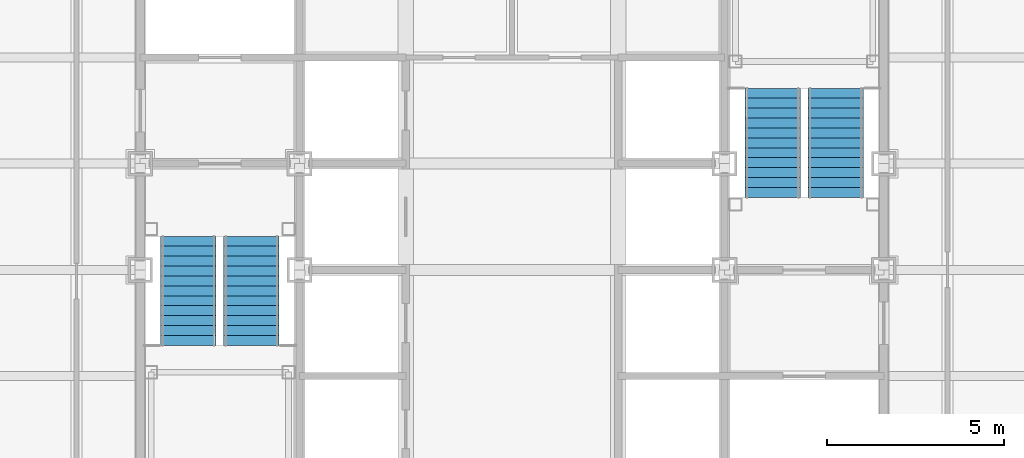
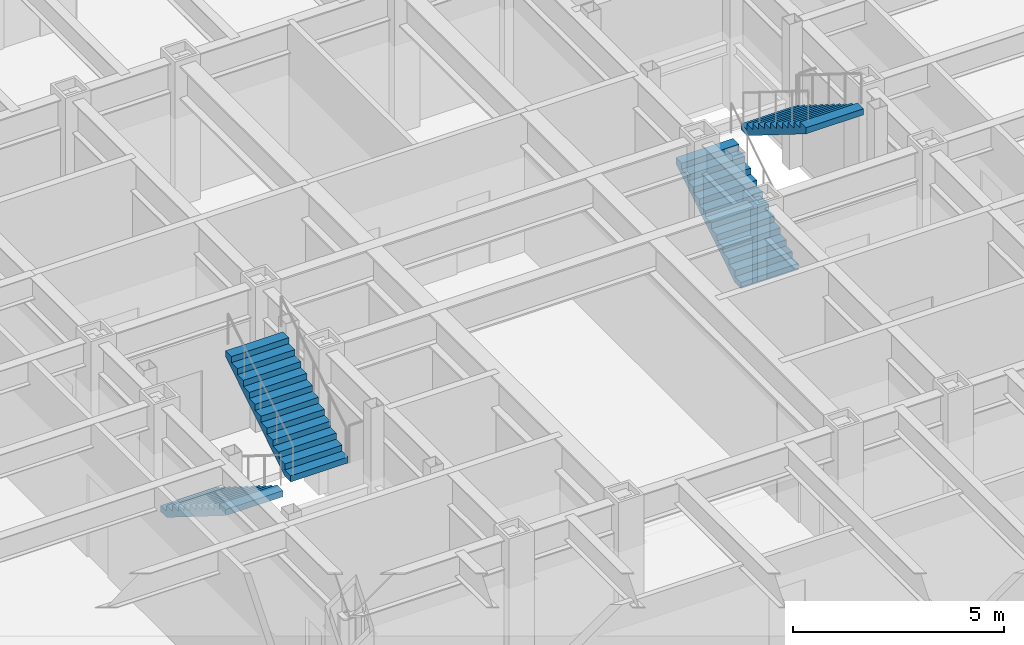
# One storey, part 14 of 17: 4 stair flights, 2 elements without a shape of their own.
"""IFC4 building model written with IfcOpenShell, lengths in metres."""

from ifc_helpers import new_model, si_unit, direction, frame, origin, place, context, subcontext, project, spatial, faceted_brep, material, type_object, element, aggregate, save


model = new_model("IFC4")

# Units and contexts
model_context = context("Model", 3, precision=1e-05, world=origin(), true_north=direction((0.0, 1.0)))
body_context = subcontext(model_context, "Body", "Model", "MODEL_VIEW")
ifc_project = project(units=[si_unit("LENGTHUNIT", "METRE"), si_unit("AREAUNIT", "SQUARE_METRE"), si_unit("VOLUMEUNIT", "CUBIC_METRE"), si_unit("PLANEANGLEUNIT", "RADIAN"), si_unit("MASSUNIT", "GRAM", prefix="KILO")], contexts=[model_context])

# Site, building, storey
site_placement = place(None, origin())
site = spatial("IfcSite", under=ifc_project, at=site_placement, CompositionType="ELEMENT")
building_placement = place(site_placement, origin())
building = spatial("IfcBuilding", under=site, at=building_placement, Name="Chuquiago Exchange Tower", CompositionType="ELEMENT")
storey_placement = place(building_placement, frame((0.0, 0.0, 132.0)))
storey = spatial("IfcBuildingStorey", under=building, at=storey_placement, Name="L28", CompositionType="ELEMENT", Elevation=132.0)

# Stair, stair flights
ifc_material_1 = material(Name="Concrete C30/37, precast", Category="concrete")
stair_type_1 = type_object("IfcStairType", Name="ST1 half-turn stair 4200", PredefinedType="HALF_TURN_STAIR", material=ifc_material_1)
stair_1_placement = place(storey_placement, origin())
stair_1 = element("IfcStair", 1, at=stair_1_placement, inside=storey, type_object=stair_type_1, Name="Stair ST1 L28", PredefinedType="HALF_TURN_STAIR")
ifc_material_2 = material(Name="Concrete C30/37, precast", Category="concrete")
stair_flight_type = type_object("IfcStairFlightType", Name="ST-F flight 1570 for 4200 storey", PredefinedType="STRAIGHT", material=ifc_material_2)
stair_flight_1_placement = place(storey_placement, frame((13.360107421875, 21.949951171875, 0.0), z_axis=(0.0, 0.0, 1.0), x_axis=(0.0, -1.0, 0.0)))
stair_flight_1 = element("IfcStairFlight", 2, at=stair_flight_1_placement, type_object=stair_flight_type, Name="ST1 flight 1", NumberOfRisers=12, NumberOfTreads=11, PredefinedType="STRAIGHT", RiserHeight=0.175, TreadLength=0.28, context=body_context, shape_type="Brep", body=[
    faceted_brep([(0.0, 0.78515625, 0.0), (0.0, 0.78515625, 0.175048828125), (0.280029296875, 0.78515625, 0.175048828125), (0.280029296875, 0.78515625, 0.35009765625), (0.56005859375, 0.78515625, 0.35009765625), (0.56005859375, 0.78515625, 0.52490234375), (0.840087890625, 0.78515625, 0.52490234375), (0.840087890625, 0.78515625, 0.699951171875), (1.1201171875, 0.78515625, 0.699951171875), (1.1201171875, 0.78515625, 0.875), (1.39990234375, 0.78515625, 0.875), (1.39990234375, 0.78515625, 1.050048828125), (1.679931640625, 0.78515625, 1.050048828125), (1.679931640625, 0.78515625, 1.22509765625), (1.9599609375, 0.78515625, 1.22509765625), (1.9599609375, 0.78515625, 1.39990234375), (2.239990234375, 0.78515625, 1.39990234375), (2.239990234375, 0.78515625, 1.574951171875), (2.52001953125, 0.78515625, 1.574951171875), (2.52001953125, 0.78515625, 1.75), (2.800048828125, 0.78515625, 1.75), (2.800048828125, 0.78515625, 1.925048828125), (3.080078125, 0.78515625, 1.925048828125), (3.080078125, 0.78515625, 1.748291015625), (0.28271484375, 0.78515625, 0.0), (0.28271484375, -0.78515625, 0.0), (3.080078125, -0.78515625, 1.748291015625), (3.080078125, -0.78515625, 1.925048828125), (2.800048828125, -0.78515625, 1.925048828125), (2.800048828125, -0.78515625, 1.75), (2.52001953125, -0.78515625, 1.75), (2.52001953125, -0.78515625, 1.574951171875), (2.239990234375, -0.78515625, 1.574951171875), (2.239990234375, -0.78515625, 1.39990234375), (1.9599609375, -0.78515625, 1.39990234375), (1.9599609375, -0.78515625, 1.22509765625), (1.679931640625, -0.78515625, 1.22509765625), (1.679931640625, -0.78515625, 1.050048828125), (1.39990234375, -0.78515625, 1.050048828125), (1.39990234375, -0.78515625, 0.875), (1.1201171875, -0.78515625, 0.875), (1.1201171875, -0.78515625, 0.699951171875), (0.840087890625, -0.78515625, 0.699951171875), (0.840087890625, -0.78515625, 0.52490234375), (0.56005859375, -0.78515625, 0.52490234375), (0.56005859375, -0.78515625, 0.35009765625), (0.280029296875, -0.78515625, 0.35009765625), (0.280029296875, -0.78515625, 0.175048828125), (0.0, -0.78515625, 0.175048828125), (0.0, -0.78515625, 0.0), (0.0, 0.392578125, 0.0), (0.0, 0.392578125, 0.175048828125), (0.0, 0.0, 0.0), (0.0, 0.0, 0.175048828125), (0.0, -0.392578125, 0.0), (0.0, -0.392578125, 0.175048828125), (0.280029296875, 0.392578125, 0.175048828125), (0.280029296875, 0.0, 0.175048828125), (0.280029296875, -0.392578125, 0.175048828125), (0.280029296875, 0.392578125, 0.35009765625), (0.280029296875, 0.0, 0.35009765625), (0.280029296875, -0.392578125, 0.35009765625), (0.56005859375, 0.392578125, 0.35009765625), (0.56005859375, 0.0, 0.35009765625), (0.56005859375, -0.392578125, 0.35009765625), (0.56005859375, 0.392578125, 0.52490234375), (0.56005859375, 0.0, 0.52490234375), (0.56005859375, -0.392578125, 0.52490234375), (0.840087890625, 0.392578125, 0.52490234375), (0.840087890625, 0.0, 0.52490234375), (0.840087890625, -0.392578125, 0.52490234375), (0.840087890625, 0.392578125, 0.699951171875), (0.840087890625, 0.0, 0.699951171875), (0.840087890625, -0.392578125, 0.699951171875), (1.1201171875, 0.392578125, 0.699951171875), (1.1201171875, 0.0, 0.699951171875), (1.1201171875, -0.392578125, 0.699951171875), (1.1201171875, 0.392578125, 0.875), (1.1201171875, 0.0, 0.875), (1.1201171875, -0.392578125, 0.875), (1.39990234375, 0.392578125, 0.875), (1.39990234375, 0.0, 0.875), (1.39990234375, -0.392578125, 0.875), (1.39990234375, 0.392578125, 1.050048828125), (1.39990234375, 0.0, 1.050048828125), (1.39990234375, -0.392578125, 1.050048828125), (1.679931640625, 0.392578125, 1.050048828125), (1.679931640625, 0.0, 1.050048828125), (1.679931640625, -0.392578125, 1.050048828125), (1.679931640625, 0.392578125, 1.22509765625), (1.679931640625, 0.0, 1.22509765625), (1.679931640625, -0.392578125, 1.22509765625), (1.9599609375, 0.392578125, 1.22509765625), (1.9599609375, 0.0, 1.22509765625), (1.9599609375, -0.392578125, 1.22509765625), (1.9599609375, 0.392578125, 1.39990234375), (1.9599609375, 0.0, 1.39990234375), (1.9599609375, -0.392578125, 1.39990234375), (2.239990234375, 0.392578125, 1.39990234375), (2.239990234375, 0.0, 1.39990234375), (2.239990234375, -0.392578125, 1.39990234375), (2.239990234375, 0.392578125, 1.574951171875), (2.239990234375, 0.0, 1.574951171875), (2.239990234375, -0.392578125, 1.574951171875), (2.52001953125, 0.392578125, 1.574951171875), (2.52001953125, 0.0, 1.574951171875), (2.52001953125, -0.392578125, 1.574951171875), (2.52001953125, 0.392578125, 1.75), (2.52001953125, 0.0, 1.75), (2.52001953125, -0.392578125, 1.75), (2.800048828125, 0.392578125, 1.75), (2.800048828125, 0.0, 1.75), (2.800048828125, -0.392578125, 1.75), (2.800048828125, 0.392578125, 1.925048828125), (2.800048828125, 0.0, 1.925048828125), (2.800048828125, -0.392578125, 1.925048828125), (3.080078125, 0.392578125, 1.925048828125), (3.080078125, 0.0, 1.925048828125), (3.080078125, -0.392578125, 1.925048828125), (3.080078125, 0.392578125, 1.748291015625), (3.080078125, 0.0, 1.748291015625), (3.080078125, -0.392578125, 1.748291015625), (0.28271484375, 0.392578125, 0.0), (0.28271484375, 0.0, 0.0), (0.28271484375, -0.392578125, 0.0)], [[[0, 1, 2, 3, 4, 5, 6, 7, 8, 9, 10, 11, 12, 13, 14, 15, 16, 17, 18, 19, 20, 21, 22, 23, 24]], [[25, 26, 27, 28, 29, 30, 31, 32, 33, 34, 35, 36, 37, 38, 39, 40, 41, 42, 43, 44, 45, 46, 47, 48, 49]], [[1, 0, 50, 51]], [[51, 50, 52, 53]], [[53, 52, 54, 55]], [[55, 54, 49, 48]], [[2, 1, 51, 56]], [[56, 51, 53, 57]], [[57, 53, 55, 58]], [[58, 55, 48, 47]], [[3, 2, 56, 59]], [[59, 56, 57, 60]], [[60, 57, 58, 61]], [[61, 58, 47, 46]], [[4, 3, 59, 62]], [[62, 59, 60, 63]], [[63, 60, 61, 64]], [[64, 61, 46, 45]], [[5, 4, 62, 65]], [[65, 62, 63, 66]], [[66, 63, 64, 67]], [[67, 64, 45, 44]], [[6, 5, 65, 68]], [[68, 65, 66, 69]], [[69, 66, 67, 70]], [[70, 67, 44, 43]], [[7, 6, 68, 71]], [[71, 68, 69, 72]], [[72, 69, 70, 73]], [[73, 70, 43, 42]], [[8, 7, 71, 74]], [[74, 71, 72, 75]], [[75, 72, 73, 76]], [[76, 73, 42, 41]], [[9, 8, 74, 77]], [[77, 74, 75, 78]], [[78, 75, 76, 79]], [[79, 76, 41, 40]], [[10, 9, 77, 80]], [[80, 77, 78, 81]], [[81, 78, 79, 82]], [[82, 79, 40, 39]], [[11, 10, 80, 83]], [[83, 80, 81, 84]], [[84, 81, 82, 85]], [[85, 82, 39, 38]], [[12, 11, 83, 86]], [[86, 83, 84, 87]], [[87, 84, 85, 88]], [[88, 85, 38, 37]], [[13, 12, 86, 89]], [[89, 86, 87, 90]], [[90, 87, 88, 91]], [[91, 88, 37, 36]], [[14, 13, 89, 92]], [[92, 89, 90, 93]], [[93, 90, 91, 94]], [[94, 91, 36, 35]], [[15, 14, 92, 95]], [[95, 92, 93, 96]], [[96, 93, 94, 97]], [[97, 94, 35, 34]], [[16, 15, 95, 98]], [[98, 95, 96, 99]], [[99, 96, 97, 100]], [[100, 97, 34, 33]], [[17, 16, 98, 101]], [[101, 98, 99, 102]], [[102, 99, 100, 103]], [[103, 100, 33, 32]], [[18, 17, 101, 104]], [[104, 101, 102, 105]], [[105, 102, 103, 106]], [[106, 103, 32, 31]], [[19, 18, 104, 107]], [[107, 104, 105, 108]], [[108, 105, 106, 109]], [[109, 106, 31, 30]], [[20, 19, 107, 110]], [[110, 107, 108, 111]], [[111, 108, 109, 112]], [[112, 109, 30, 29]], [[21, 20, 110, 113]], [[113, 110, 111, 114]], [[114, 111, 112, 115]], [[115, 112, 29, 28]], [[22, 21, 113, 116]], [[116, 113, 114, 117]], [[117, 114, 115, 118]], [[118, 115, 28, 27]], [[23, 22, 116, 119]], [[119, 116, 117, 120]], [[120, 117, 118, 121]], [[121, 118, 27, 26]], [[24, 23, 119, 122]], [[122, 119, 120, 123]], [[123, 120, 121, 124]], [[124, 121, 26, 25]], [[0, 24, 122, 50]], [[50, 122, 123, 52]], [[52, 123, 124, 54]], [[54, 124, 25, 49]]]),
])
stair_flight_2_placement = place(storey_placement, frame((15.139892578125, 18.8701171875, 2.10009765625), z_axis=(0.0, 0.0, 1.0), x_axis=(0.0, 1.0, 0.0)))
stair_flight_2 = element("IfcStairFlight", 3, at=stair_flight_2_placement, type_object=stair_flight_type, Name="ST1 flight 2", NumberOfRisers=12, NumberOfTreads=11, PredefinedType="STRAIGHT", RiserHeight=0.175, TreadLength=0.28, context=body_context, shape_type="Brep", body=[
    faceted_brep([(0.0, 0.78515625, 0.0), (0.0, 0.78515625, 0.175048828125), (0.280029296875, 0.78515625, 0.175048828125), (0.280029296875, 0.78515625, 0.35009765625), (0.56005859375, 0.78515625, 0.35009765625), (0.56005859375, 0.78515625, 0.52490234375), (0.840087890625, 0.78515625, 0.52490234375), (0.840087890625, 0.78515625, 0.699951171875), (1.1201171875, 0.78515625, 0.699951171875), (1.1201171875, 0.78515625, 0.875), (1.39990234375, 0.78515625, 0.875), (1.39990234375, 0.78515625, 1.050048828125), (1.679931640625, 0.78515625, 1.050048828125), (1.679931640625, 0.78515625, 1.22509765625), (1.9599609375, 0.78515625, 1.22509765625), (1.9599609375, 0.78515625, 1.39990234375), (2.239990234375, 0.78515625, 1.39990234375), (2.239990234375, 0.78515625, 1.574951171875), (2.52001953125, 0.78515625, 1.574951171875), (2.52001953125, 0.78515625, 1.75), (2.800048828125, 0.78515625, 1.75), (2.800048828125, 0.78515625, 1.925048828125), (3.080078125, 0.78515625, 1.925048828125), (3.080078125, 0.78515625, 1.748291015625), (0.28271484375, 0.78515625, 0.0), (0.28271484375, -0.78515625, 0.0), (3.080078125, -0.78515625, 1.748291015625), (3.080078125, -0.78515625, 1.925048828125), (2.800048828125, -0.78515625, 1.925048828125), (2.800048828125, -0.78515625, 1.75), (2.52001953125, -0.78515625, 1.75), (2.52001953125, -0.78515625, 1.574951171875), (2.239990234375, -0.78515625, 1.574951171875), (2.239990234375, -0.78515625, 1.39990234375), (1.9599609375, -0.78515625, 1.39990234375), (1.9599609375, -0.78515625, 1.22509765625), (1.679931640625, -0.78515625, 1.22509765625), (1.679931640625, -0.78515625, 1.050048828125), (1.39990234375, -0.78515625, 1.050048828125), (1.39990234375, -0.78515625, 0.875), (1.1201171875, -0.78515625, 0.875), (1.1201171875, -0.78515625, 0.699951171875), (0.840087890625, -0.78515625, 0.699951171875), (0.840087890625, -0.78515625, 0.52490234375), (0.56005859375, -0.78515625, 0.52490234375), (0.56005859375, -0.78515625, 0.35009765625), (0.280029296875, -0.78515625, 0.35009765625), (0.280029296875, -0.78515625, 0.175048828125), (0.0, -0.78515625, 0.175048828125), (0.0, -0.78515625, 0.0), (0.0, 0.392578125, 0.0), (0.0, 0.392578125, 0.175048828125), (0.0, 0.0, 0.0), (0.0, 0.0, 0.175048828125), (0.0, -0.392578125, 0.0), (0.0, -0.392578125, 0.175048828125), (0.280029296875, 0.392578125, 0.175048828125), (0.280029296875, 0.0, 0.175048828125), (0.280029296875, -0.392578125, 0.175048828125), (0.280029296875, 0.392578125, 0.35009765625), (0.280029296875, 0.0, 0.35009765625), (0.280029296875, -0.392578125, 0.35009765625), (0.56005859375, 0.392578125, 0.35009765625), (0.56005859375, 0.0, 0.35009765625), (0.56005859375, -0.392578125, 0.35009765625), (0.56005859375, 0.392578125, 0.52490234375), (0.56005859375, 0.0, 0.52490234375), (0.56005859375, -0.392578125, 0.52490234375), (0.840087890625, 0.392578125, 0.52490234375), (0.840087890625, 0.0, 0.52490234375), (0.840087890625, -0.392578125, 0.52490234375), (0.840087890625, 0.392578125, 0.699951171875), (0.840087890625, 0.0, 0.699951171875), (0.840087890625, -0.392578125, 0.699951171875), (1.1201171875, 0.392578125, 0.699951171875), (1.1201171875, 0.0, 0.699951171875), (1.1201171875, -0.392578125, 0.699951171875), (1.1201171875, 0.392578125, 0.875), (1.1201171875, 0.0, 0.875), (1.1201171875, -0.392578125, 0.875), (1.39990234375, 0.392578125, 0.875), (1.39990234375, 0.0, 0.875), (1.39990234375, -0.392578125, 0.875), (1.39990234375, 0.392578125, 1.050048828125), (1.39990234375, 0.0, 1.050048828125), (1.39990234375, -0.392578125, 1.050048828125), (1.679931640625, 0.392578125, 1.050048828125), (1.679931640625, 0.0, 1.050048828125), (1.679931640625, -0.392578125, 1.050048828125), (1.679931640625, 0.392578125, 1.22509765625), (1.679931640625, 0.0, 1.22509765625), (1.679931640625, -0.392578125, 1.22509765625), (1.9599609375, 0.392578125, 1.22509765625), (1.9599609375, 0.0, 1.22509765625), (1.9599609375, -0.392578125, 1.22509765625), (1.9599609375, 0.392578125, 1.39990234375), (1.9599609375, 0.0, 1.39990234375), (1.9599609375, -0.392578125, 1.39990234375), (2.239990234375, 0.392578125, 1.39990234375), (2.239990234375, 0.0, 1.39990234375), (2.239990234375, -0.392578125, 1.39990234375), (2.239990234375, 0.392578125, 1.574951171875), (2.239990234375, 0.0, 1.574951171875), (2.239990234375, -0.392578125, 1.574951171875), (2.52001953125, 0.392578125, 1.574951171875), (2.52001953125, 0.0, 1.574951171875), (2.52001953125, -0.392578125, 1.574951171875), (2.52001953125, 0.392578125, 1.75), (2.52001953125, 0.0, 1.75), (2.52001953125, -0.392578125, 1.75), (2.800048828125, 0.392578125, 1.75), (2.800048828125, 0.0, 1.75), (2.800048828125, -0.392578125, 1.75), (2.800048828125, 0.392578125, 1.925048828125), (2.800048828125, 0.0, 1.925048828125), (2.800048828125, -0.392578125, 1.925048828125), (3.080078125, 0.392578125, 1.925048828125), (3.080078125, 0.0, 1.925048828125), (3.080078125, -0.392578125, 1.925048828125), (3.080078125, 0.392578125, 1.748291015625), (3.080078125, 0.0, 1.748291015625), (3.080078125, -0.392578125, 1.748291015625), (0.28271484375, 0.392578125, 0.0), (0.28271484375, 0.0, 0.0), (0.28271484375, -0.392578125, 0.0)], [[[0, 1, 2, 3, 4, 5, 6, 7, 8, 9, 10, 11, 12, 13, 14, 15, 16, 17, 18, 19, 20, 21, 22, 23, 24]], [[25, 26, 27, 28, 29, 30, 31, 32, 33, 34, 35, 36, 37, 38, 39, 40, 41, 42, 43, 44, 45, 46, 47, 48, 49]], [[1, 0, 50, 51]], [[51, 50, 52, 53]], [[53, 52, 54, 55]], [[55, 54, 49, 48]], [[2, 1, 51, 56]], [[56, 51, 53, 57]], [[57, 53, 55, 58]], [[58, 55, 48, 47]], [[3, 2, 56, 59]], [[59, 56, 57, 60]], [[60, 57, 58, 61]], [[61, 58, 47, 46]], [[4, 3, 59, 62]], [[62, 59, 60, 63]], [[63, 60, 61, 64]], [[64, 61, 46, 45]], [[5, 4, 62, 65]], [[65, 62, 63, 66]], [[66, 63, 64, 67]], [[67, 64, 45, 44]], [[6, 5, 65, 68]], [[68, 65, 66, 69]], [[69, 66, 67, 70]], [[70, 67, 44, 43]], [[7, 6, 68, 71]], [[71, 68, 69, 72]], [[72, 69, 70, 73]], [[73, 70, 43, 42]], [[8, 7, 71, 74]], [[74, 71, 72, 75]], [[75, 72, 73, 76]], [[76, 73, 42, 41]], [[9, 8, 74, 77]], [[77, 74, 75, 78]], [[78, 75, 76, 79]], [[79, 76, 41, 40]], [[10, 9, 77, 80]], [[80, 77, 78, 81]], [[81, 78, 79, 82]], [[82, 79, 40, 39]], [[11, 10, 80, 83]], [[83, 80, 81, 84]], [[84, 81, 82, 85]], [[85, 82, 39, 38]], [[12, 11, 83, 86]], [[86, 83, 84, 87]], [[87, 84, 85, 88]], [[88, 85, 38, 37]], [[13, 12, 86, 89]], [[89, 86, 87, 90]], [[90, 87, 88, 91]], [[91, 88, 37, 36]], [[14, 13, 89, 92]], [[92, 89, 90, 93]], [[93, 90, 91, 94]], [[94, 91, 36, 35]], [[15, 14, 92, 95]], [[95, 92, 93, 96]], [[96, 93, 94, 97]], [[97, 94, 35, 34]], [[16, 15, 95, 98]], [[98, 95, 96, 99]], [[99, 96, 97, 100]], [[100, 97, 34, 33]], [[17, 16, 98, 101]], [[101, 98, 99, 102]], [[102, 99, 100, 103]], [[103, 100, 33, 32]], [[18, 17, 101, 104]], [[104, 101, 102, 105]], [[105, 102, 103, 106]], [[106, 103, 32, 31]], [[19, 18, 104, 107]], [[107, 104, 105, 108]], [[108, 105, 106, 109]], [[109, 106, 31, 30]], [[20, 19, 107, 110]], [[110, 107, 108, 111]], [[111, 108, 109, 112]], [[112, 109, 30, 29]], [[21, 20, 110, 113]], [[113, 110, 111, 114]], [[114, 111, 112, 115]], [[115, 112, 29, 28]], [[22, 21, 113, 116]], [[116, 113, 114, 117]], [[117, 114, 115, 118]], [[118, 115, 28, 27]], [[23, 22, 116, 119]], [[119, 116, 117, 120]], [[120, 117, 118, 121]], [[121, 118, 27, 26]], [[24, 23, 119, 122]], [[122, 119, 120, 123]], [[123, 120, 121, 124]], [[124, 121, 26, 25]], [[0, 24, 122, 50]], [[50, 122, 123, 52]], [[52, 123, 124, 54]], [[54, 124, 25, 49]]]),
])
aggregate(stair_1, [stair_flight_1, stair_flight_2])

ifc_material_3 = material(Name="Concrete C30/37, precast", Category="concrete")
stair_type_2 = type_object("IfcStairType", Name="ST2 half-turn stair 4200", PredefinedType="HALF_TURN_STAIR", material=ifc_material_3)
stair_2_placement = place(storey_placement, origin())
stair_2 = element("IfcStair", 4, at=stair_2_placement, inside=storey, type_object=stair_type_2, Name="Stair ST2 L28", PredefinedType="HALF_TURN_STAIR")
stair_flight_3_placement = place(storey_placement, frame((29.860107421875, 23.050048828125, 0.0), z_axis=(0.0, 0.0, 1.0), x_axis=(0.0, 1.0, 0.0)))
stair_flight_3 = element("IfcStairFlight", 5, at=stair_flight_3_placement, type_object=stair_flight_type, Name="ST2 flight 1", NumberOfRisers=12, NumberOfTreads=11, PredefinedType="STRAIGHT", RiserHeight=0.175, TreadLength=0.28, context=body_context, shape_type="Brep", body=[
    faceted_brep([(0.0, 0.78515625, 0.0), (0.0, 0.78515625, 0.175048828125), (0.280029296875, 0.78515625, 0.175048828125), (0.280029296875, 0.78515625, 0.35009765625), (0.56005859375, 0.78515625, 0.35009765625), (0.56005859375, 0.78515625, 0.52490234375), (0.840087890625, 0.78515625, 0.52490234375), (0.840087890625, 0.78515625, 0.699951171875), (1.1201171875, 0.78515625, 0.699951171875), (1.1201171875, 0.78515625, 0.875), (1.39990234375, 0.78515625, 0.875), (1.39990234375, 0.78515625, 1.050048828125), (1.679931640625, 0.78515625, 1.050048828125), (1.679931640625, 0.78515625, 1.22509765625), (1.9599609375, 0.78515625, 1.22509765625), (1.9599609375, 0.78515625, 1.39990234375), (2.239990234375, 0.78515625, 1.39990234375), (2.239990234375, 0.78515625, 1.574951171875), (2.52001953125, 0.78515625, 1.574951171875), (2.52001953125, 0.78515625, 1.75), (2.800048828125, 0.78515625, 1.75), (2.800048828125, 0.78515625, 1.925048828125), (3.080078125, 0.78515625, 1.925048828125), (3.080078125, 0.78515625, 1.748291015625), (0.28271484375, 0.78515625, 0.0), (0.28271484375, -0.78515625, 0.0), (3.080078125, -0.78515625, 1.748291015625), (3.080078125, -0.78515625, 1.925048828125), (2.800048828125, -0.78515625, 1.925048828125), (2.800048828125, -0.78515625, 1.75), (2.52001953125, -0.78515625, 1.75), (2.52001953125, -0.78515625, 1.574951171875), (2.239990234375, -0.78515625, 1.574951171875), (2.239990234375, -0.78515625, 1.39990234375), (1.9599609375, -0.78515625, 1.39990234375), (1.9599609375, -0.78515625, 1.22509765625), (1.679931640625, -0.78515625, 1.22509765625), (1.679931640625, -0.78515625, 1.050048828125), (1.39990234375, -0.78515625, 1.050048828125), (1.39990234375, -0.78515625, 0.875), (1.1201171875, -0.78515625, 0.875), (1.1201171875, -0.78515625, 0.699951171875), (0.840087890625, -0.78515625, 0.699951171875), (0.840087890625, -0.78515625, 0.52490234375), (0.56005859375, -0.78515625, 0.52490234375), (0.56005859375, -0.78515625, 0.35009765625), (0.280029296875, -0.78515625, 0.35009765625), (0.280029296875, -0.78515625, 0.175048828125), (0.0, -0.78515625, 0.175048828125), (0.0, -0.78515625, 0.0), (0.0, 0.392578125, 0.0), (0.0, 0.392578125, 0.175048828125), (0.0, 0.0, 0.0), (0.0, 0.0, 0.175048828125), (0.0, -0.392578125, 0.0), (0.0, -0.392578125, 0.175048828125), (0.280029296875, 0.392578125, 0.175048828125), (0.280029296875, 0.0, 0.175048828125), (0.280029296875, -0.392578125, 0.175048828125), (0.280029296875, 0.392578125, 0.35009765625), (0.280029296875, 0.0, 0.35009765625), (0.280029296875, -0.392578125, 0.35009765625), (0.56005859375, 0.392578125, 0.35009765625), (0.56005859375, 0.0, 0.35009765625), (0.56005859375, -0.392578125, 0.35009765625), (0.56005859375, 0.392578125, 0.52490234375), (0.56005859375, 0.0, 0.52490234375), (0.56005859375, -0.392578125, 0.52490234375), (0.840087890625, 0.392578125, 0.52490234375), (0.840087890625, 0.0, 0.52490234375), (0.840087890625, -0.392578125, 0.52490234375), (0.840087890625, 0.392578125, 0.699951171875), (0.840087890625, 0.0, 0.699951171875), (0.840087890625, -0.392578125, 0.699951171875), (1.1201171875, 0.392578125, 0.699951171875), (1.1201171875, 0.0, 0.699951171875), (1.1201171875, -0.392578125, 0.699951171875), (1.1201171875, 0.392578125, 0.875), (1.1201171875, 0.0, 0.875), (1.1201171875, -0.392578125, 0.875), (1.39990234375, 0.392578125, 0.875), (1.39990234375, 0.0, 0.875), (1.39990234375, -0.392578125, 0.875), (1.39990234375, 0.392578125, 1.050048828125), (1.39990234375, 0.0, 1.050048828125), (1.39990234375, -0.392578125, 1.050048828125), (1.679931640625, 0.392578125, 1.050048828125), (1.679931640625, 0.0, 1.050048828125), (1.679931640625, -0.392578125, 1.050048828125), (1.679931640625, 0.392578125, 1.22509765625), (1.679931640625, 0.0, 1.22509765625), (1.679931640625, -0.392578125, 1.22509765625), (1.9599609375, 0.392578125, 1.22509765625), (1.9599609375, 0.0, 1.22509765625), (1.9599609375, -0.392578125, 1.22509765625), (1.9599609375, 0.392578125, 1.39990234375), (1.9599609375, 0.0, 1.39990234375), (1.9599609375, -0.392578125, 1.39990234375), (2.239990234375, 0.392578125, 1.39990234375), (2.239990234375, 0.0, 1.39990234375), (2.239990234375, -0.392578125, 1.39990234375), (2.239990234375, 0.392578125, 1.574951171875), (2.239990234375, 0.0, 1.574951171875), (2.239990234375, -0.392578125, 1.574951171875), (2.52001953125, 0.392578125, 1.574951171875), (2.52001953125, 0.0, 1.574951171875), (2.52001953125, -0.392578125, 1.574951171875), (2.52001953125, 0.392578125, 1.75), (2.52001953125, 0.0, 1.75), (2.52001953125, -0.392578125, 1.75), (2.800048828125, 0.392578125, 1.75), (2.800048828125, 0.0, 1.75), (2.800048828125, -0.392578125, 1.75), (2.800048828125, 0.392578125, 1.925048828125), (2.800048828125, 0.0, 1.925048828125), (2.800048828125, -0.392578125, 1.925048828125), (3.080078125, 0.392578125, 1.925048828125), (3.080078125, 0.0, 1.925048828125), (3.080078125, -0.392578125, 1.925048828125), (3.080078125, 0.392578125, 1.748291015625), (3.080078125, 0.0, 1.748291015625), (3.080078125, -0.392578125, 1.748291015625), (0.28271484375, 0.392578125, 0.0), (0.28271484375, 0.0, 0.0), (0.28271484375, -0.392578125, 0.0)], [[[0, 1, 2, 3, 4, 5, 6, 7, 8, 9, 10, 11, 12, 13, 14, 15, 16, 17, 18, 19, 20, 21, 22, 23, 24]], [[25, 26, 27, 28, 29, 30, 31, 32, 33, 34, 35, 36, 37, 38, 39, 40, 41, 42, 43, 44, 45, 46, 47, 48, 49]], [[1, 0, 50, 51]], [[51, 50, 52, 53]], [[53, 52, 54, 55]], [[55, 54, 49, 48]], [[2, 1, 51, 56]], [[56, 51, 53, 57]], [[57, 53, 55, 58]], [[58, 55, 48, 47]], [[3, 2, 56, 59]], [[59, 56, 57, 60]], [[60, 57, 58, 61]], [[61, 58, 47, 46]], [[4, 3, 59, 62]], [[62, 59, 60, 63]], [[63, 60, 61, 64]], [[64, 61, 46, 45]], [[5, 4, 62, 65]], [[65, 62, 63, 66]], [[66, 63, 64, 67]], [[67, 64, 45, 44]], [[6, 5, 65, 68]], [[68, 65, 66, 69]], [[69, 66, 67, 70]], [[70, 67, 44, 43]], [[7, 6, 68, 71]], [[71, 68, 69, 72]], [[72, 69, 70, 73]], [[73, 70, 43, 42]], [[8, 7, 71, 74]], [[74, 71, 72, 75]], [[75, 72, 73, 76]], [[76, 73, 42, 41]], [[9, 8, 74, 77]], [[77, 74, 75, 78]], [[78, 75, 76, 79]], [[79, 76, 41, 40]], [[10, 9, 77, 80]], [[80, 77, 78, 81]], [[81, 78, 79, 82]], [[82, 79, 40, 39]], [[11, 10, 80, 83]], [[83, 80, 81, 84]], [[84, 81, 82, 85]], [[85, 82, 39, 38]], [[12, 11, 83, 86]], [[86, 83, 84, 87]], [[87, 84, 85, 88]], [[88, 85, 38, 37]], [[13, 12, 86, 89]], [[89, 86, 87, 90]], [[90, 87, 88, 91]], [[91, 88, 37, 36]], [[14, 13, 89, 92]], [[92, 89, 90, 93]], [[93, 90, 91, 94]], [[94, 91, 36, 35]], [[15, 14, 92, 95]], [[95, 92, 93, 96]], [[96, 93, 94, 97]], [[97, 94, 35, 34]], [[16, 15, 95, 98]], [[98, 95, 96, 99]], [[99, 96, 97, 100]], [[100, 97, 34, 33]], [[17, 16, 98, 101]], [[101, 98, 99, 102]], [[102, 99, 100, 103]], [[103, 100, 33, 32]], [[18, 17, 101, 104]], [[104, 101, 102, 105]], [[105, 102, 103, 106]], [[106, 103, 32, 31]], [[19, 18, 104, 107]], [[107, 104, 105, 108]], [[108, 105, 106, 109]], [[109, 106, 31, 30]], [[20, 19, 107, 110]], [[110, 107, 108, 111]], [[111, 108, 109, 112]], [[112, 109, 30, 29]], [[21, 20, 110, 113]], [[113, 110, 111, 114]], [[114, 111, 112, 115]], [[115, 112, 29, 28]], [[22, 21, 113, 116]], [[116, 113, 114, 117]], [[117, 114, 115, 118]], [[118, 115, 28, 27]], [[23, 22, 116, 119]], [[119, 116, 117, 120]], [[120, 117, 118, 121]], [[121, 118, 27, 26]], [[24, 23, 119, 122]], [[122, 119, 120, 123]], [[123, 120, 121, 124]], [[124, 121, 26, 25]], [[0, 24, 122, 50]], [[50, 122, 123, 52]], [[52, 123, 124, 54]], [[54, 124, 25, 49]]]),
])
stair_flight_4_placement = place(storey_placement, frame((31.639892578125, 26.1298828125, 2.10009765625), z_axis=(0.0, 0.0, 1.0), x_axis=(0.0, -1.0, 0.0)))
stair_flight_4 = element("IfcStairFlight", 6, at=stair_flight_4_placement, type_object=stair_flight_type, Name="ST2 flight 2", NumberOfRisers=12, NumberOfTreads=11, PredefinedType="STRAIGHT", RiserHeight=0.175, TreadLength=0.28, context=body_context, shape_type="Brep", body=[
    faceted_brep([(0.0, 0.78515625, 0.0), (0.0, 0.78515625, 0.175048828125), (0.280029296875, 0.78515625, 0.175048828125), (0.280029296875, 0.78515625, 0.35009765625), (0.56005859375, 0.78515625, 0.35009765625), (0.56005859375, 0.78515625, 0.52490234375), (0.840087890625, 0.78515625, 0.52490234375), (0.840087890625, 0.78515625, 0.699951171875), (1.1201171875, 0.78515625, 0.699951171875), (1.1201171875, 0.78515625, 0.875), (1.39990234375, 0.78515625, 0.875), (1.39990234375, 0.78515625, 1.050048828125), (1.679931640625, 0.78515625, 1.050048828125), (1.679931640625, 0.78515625, 1.22509765625), (1.9599609375, 0.78515625, 1.22509765625), (1.9599609375, 0.78515625, 1.39990234375), (2.239990234375, 0.78515625, 1.39990234375), (2.239990234375, 0.78515625, 1.574951171875), (2.52001953125, 0.78515625, 1.574951171875), (2.52001953125, 0.78515625, 1.75), (2.800048828125, 0.78515625, 1.75), (2.800048828125, 0.78515625, 1.925048828125), (3.080078125, 0.78515625, 1.925048828125), (3.080078125, 0.78515625, 1.748291015625), (0.28271484375, 0.78515625, 0.0), (0.28271484375, -0.78515625, 0.0), (3.080078125, -0.78515625, 1.748291015625), (3.080078125, -0.78515625, 1.925048828125), (2.800048828125, -0.78515625, 1.925048828125), (2.800048828125, -0.78515625, 1.75), (2.52001953125, -0.78515625, 1.75), (2.52001953125, -0.78515625, 1.574951171875), (2.239990234375, -0.78515625, 1.574951171875), (2.239990234375, -0.78515625, 1.39990234375), (1.9599609375, -0.78515625, 1.39990234375), (1.9599609375, -0.78515625, 1.22509765625), (1.679931640625, -0.78515625, 1.22509765625), (1.679931640625, -0.78515625, 1.050048828125), (1.39990234375, -0.78515625, 1.050048828125), (1.39990234375, -0.78515625, 0.875), (1.1201171875, -0.78515625, 0.875), (1.1201171875, -0.78515625, 0.699951171875), (0.840087890625, -0.78515625, 0.699951171875), (0.840087890625, -0.78515625, 0.52490234375), (0.56005859375, -0.78515625, 0.52490234375), (0.56005859375, -0.78515625, 0.35009765625), (0.280029296875, -0.78515625, 0.35009765625), (0.280029296875, -0.78515625, 0.175048828125), (0.0, -0.78515625, 0.175048828125), (0.0, -0.78515625, 0.0), (0.0, 0.392578125, 0.0), (0.0, 0.392578125, 0.175048828125), (0.0, 0.0, 0.0), (0.0, 0.0, 0.175048828125), (0.0, -0.392578125, 0.0), (0.0, -0.392578125, 0.175048828125), (0.280029296875, 0.392578125, 0.175048828125), (0.280029296875, 0.0, 0.175048828125), (0.280029296875, -0.392578125, 0.175048828125), (0.280029296875, 0.392578125, 0.35009765625), (0.280029296875, 0.0, 0.35009765625), (0.280029296875, -0.392578125, 0.35009765625), (0.56005859375, 0.392578125, 0.35009765625), (0.56005859375, 0.0, 0.35009765625), (0.56005859375, -0.392578125, 0.35009765625), (0.56005859375, 0.392578125, 0.52490234375), (0.56005859375, 0.0, 0.52490234375), (0.56005859375, -0.392578125, 0.52490234375), (0.840087890625, 0.392578125, 0.52490234375), (0.840087890625, 0.0, 0.52490234375), (0.840087890625, -0.392578125, 0.52490234375), (0.840087890625, 0.392578125, 0.699951171875), (0.840087890625, 0.0, 0.699951171875), (0.840087890625, -0.392578125, 0.699951171875), (1.1201171875, 0.392578125, 0.699951171875), (1.1201171875, 0.0, 0.699951171875), (1.1201171875, -0.392578125, 0.699951171875), (1.1201171875, 0.392578125, 0.875), (1.1201171875, 0.0, 0.875), (1.1201171875, -0.392578125, 0.875), (1.39990234375, 0.392578125, 0.875), (1.39990234375, 0.0, 0.875), (1.39990234375, -0.392578125, 0.875), (1.39990234375, 0.392578125, 1.050048828125), (1.39990234375, 0.0, 1.050048828125), (1.39990234375, -0.392578125, 1.050048828125), (1.679931640625, 0.392578125, 1.050048828125), (1.679931640625, 0.0, 1.050048828125), (1.679931640625, -0.392578125, 1.050048828125), (1.679931640625, 0.392578125, 1.22509765625), (1.679931640625, 0.0, 1.22509765625), (1.679931640625, -0.392578125, 1.22509765625), (1.9599609375, 0.392578125, 1.22509765625), (1.9599609375, 0.0, 1.22509765625), (1.9599609375, -0.392578125, 1.22509765625), (1.9599609375, 0.392578125, 1.39990234375), (1.9599609375, 0.0, 1.39990234375), (1.9599609375, -0.392578125, 1.39990234375), (2.239990234375, 0.392578125, 1.39990234375), (2.239990234375, 0.0, 1.39990234375), (2.239990234375, -0.392578125, 1.39990234375), (2.239990234375, 0.392578125, 1.574951171875), (2.239990234375, 0.0, 1.574951171875), (2.239990234375, -0.392578125, 1.574951171875), (2.52001953125, 0.392578125, 1.574951171875), (2.52001953125, 0.0, 1.574951171875), (2.52001953125, -0.392578125, 1.574951171875), (2.52001953125, 0.392578125, 1.75), (2.52001953125, 0.0, 1.75), (2.52001953125, -0.392578125, 1.75), (2.800048828125, 0.392578125, 1.75), (2.800048828125, 0.0, 1.75), (2.800048828125, -0.392578125, 1.75), (2.800048828125, 0.392578125, 1.925048828125), (2.800048828125, 0.0, 1.925048828125), (2.800048828125, -0.392578125, 1.925048828125), (3.080078125, 0.392578125, 1.925048828125), (3.080078125, 0.0, 1.925048828125), (3.080078125, -0.392578125, 1.925048828125), (3.080078125, 0.392578125, 1.748291015625), (3.080078125, 0.0, 1.748291015625), (3.080078125, -0.392578125, 1.748291015625), (0.28271484375, 0.392578125, 0.0), (0.28271484375, 0.0, 0.0), (0.28271484375, -0.392578125, 0.0)], [[[0, 1, 2, 3, 4, 5, 6, 7, 8, 9, 10, 11, 12, 13, 14, 15, 16, 17, 18, 19, 20, 21, 22, 23, 24]], [[25, 26, 27, 28, 29, 30, 31, 32, 33, 34, 35, 36, 37, 38, 39, 40, 41, 42, 43, 44, 45, 46, 47, 48, 49]], [[1, 0, 50, 51]], [[51, 50, 52, 53]], [[53, 52, 54, 55]], [[55, 54, 49, 48]], [[2, 1, 51, 56]], [[56, 51, 53, 57]], [[57, 53, 55, 58]], [[58, 55, 48, 47]], [[3, 2, 56, 59]], [[59, 56, 57, 60]], [[60, 57, 58, 61]], [[61, 58, 47, 46]], [[4, 3, 59, 62]], [[62, 59, 60, 63]], [[63, 60, 61, 64]], [[64, 61, 46, 45]], [[5, 4, 62, 65]], [[65, 62, 63, 66]], [[66, 63, 64, 67]], [[67, 64, 45, 44]], [[6, 5, 65, 68]], [[68, 65, 66, 69]], [[69, 66, 67, 70]], [[70, 67, 44, 43]], [[7, 6, 68, 71]], [[71, 68, 69, 72]], [[72, 69, 70, 73]], [[73, 70, 43, 42]], [[8, 7, 71, 74]], [[74, 71, 72, 75]], [[75, 72, 73, 76]], [[76, 73, 42, 41]], [[9, 8, 74, 77]], [[77, 74, 75, 78]], [[78, 75, 76, 79]], [[79, 76, 41, 40]], [[10, 9, 77, 80]], [[80, 77, 78, 81]], [[81, 78, 79, 82]], [[82, 79, 40, 39]], [[11, 10, 80, 83]], [[83, 80, 81, 84]], [[84, 81, 82, 85]], [[85, 82, 39, 38]], [[12, 11, 83, 86]], [[86, 83, 84, 87]], [[87, 84, 85, 88]], [[88, 85, 38, 37]], [[13, 12, 86, 89]], [[89, 86, 87, 90]], [[90, 87, 88, 91]], [[91, 88, 37, 36]], [[14, 13, 89, 92]], [[92, 89, 90, 93]], [[93, 90, 91, 94]], [[94, 91, 36, 35]], [[15, 14, 92, 95]], [[95, 92, 93, 96]], [[96, 93, 94, 97]], [[97, 94, 35, 34]], [[16, 15, 95, 98]], [[98, 95, 96, 99]], [[99, 96, 97, 100]], [[100, 97, 34, 33]], [[17, 16, 98, 101]], [[101, 98, 99, 102]], [[102, 99, 100, 103]], [[103, 100, 33, 32]], [[18, 17, 101, 104]], [[104, 101, 102, 105]], [[105, 102, 103, 106]], [[106, 103, 32, 31]], [[19, 18, 104, 107]], [[107, 104, 105, 108]], [[108, 105, 106, 109]], [[109, 106, 31, 30]], [[20, 19, 107, 110]], [[110, 107, 108, 111]], [[111, 108, 109, 112]], [[112, 109, 30, 29]], [[21, 20, 110, 113]], [[113, 110, 111, 114]], [[114, 111, 112, 115]], [[115, 112, 29, 28]], [[22, 21, 113, 116]], [[116, 113, 114, 117]], [[117, 114, 115, 118]], [[118, 115, 28, 27]], [[23, 22, 116, 119]], [[119, 116, 117, 120]], [[120, 117, 118, 121]], [[121, 118, 27, 26]], [[24, 23, 119, 122]], [[122, 119, 120, 123]], [[123, 120, 121, 124]], [[124, 121, 26, 25]], [[0, 24, 122, 50]], [[50, 122, 123, 52]], [[52, 123, 124, 54]], [[54, 124, 25, 49]]]),
])
aggregate(stair_2, [stair_flight_3, stair_flight_4])

save(model, "model.ifc")
